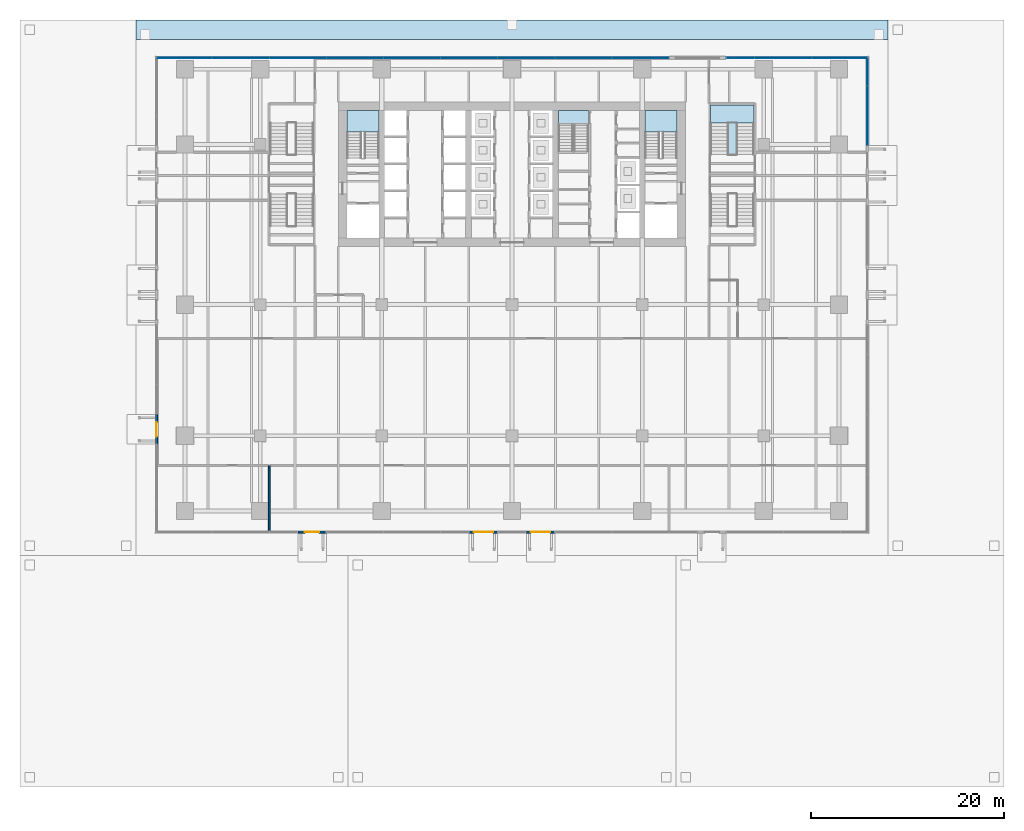
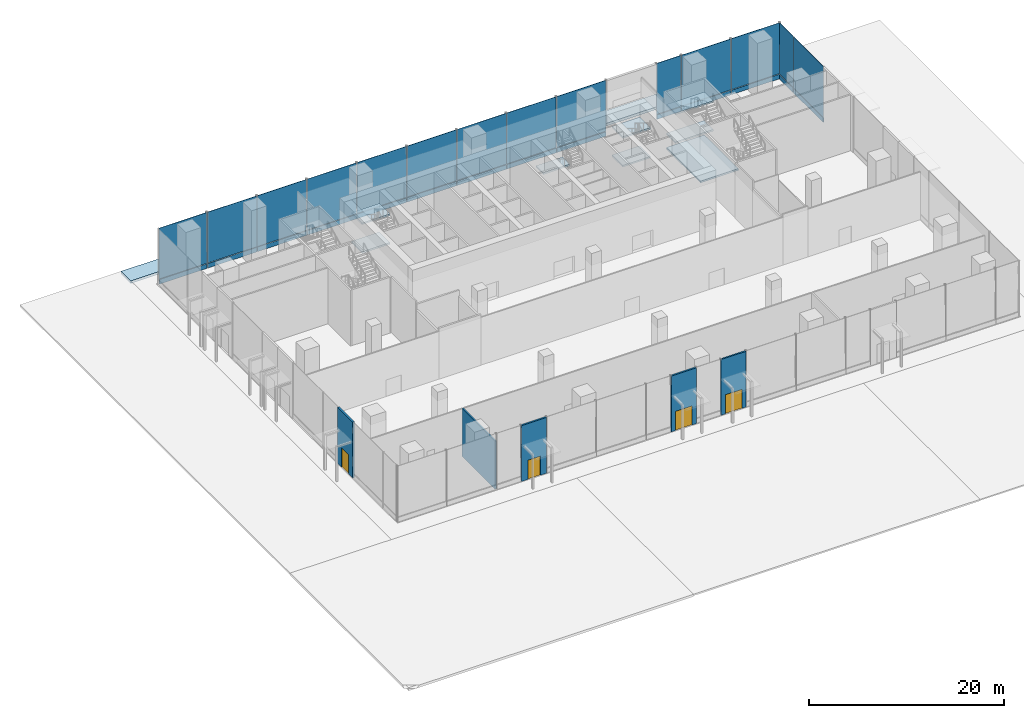
# One storey, part 28 of 41: 28 plates, 9 slabs, 5 walls, 4 doors, 4 openings, 7 elements without a shape of their own.
"""IFC4 building model written with IfcOpenShell, lengths in metres."""

import ifcopenshell
import ifcopenshell.guid

model = None  # the IFC model being written
_history = None  # IfcOwnerHistory: only IFC2X3 demands one
_inside = {}  # id of a spatial element -> (the spatial element, [elements in it])
_under = {}  # id of a project, library or spatial element -> (it, [spatial elements below it])
_declared = {}  # id of a project -> (the project, [libraries it declares])
_typed = {}  # id of a type object -> (the type object, [elements of that type])
_made_of = {}  # id of a material, layer set ... -> (it, [elements and type objects made of it])


def new_model(schema):
    """Start an empty IFC model of exactly this schema.

    Asked for "IFC4X3", IfcOpenShell would pick the latest addendum, in which some entities
    have other attributes; the version numbers below select the first issue.
    IFC2X3 requires an IfcOwnerHistory on every rooted entity: one is made here for all.
    """
    global model, _history
    if schema == "IFC4X3":
        model = ifcopenshell.file(schema_version=(4, 3, 0, 0))
    else:
        model = ifcopenshell.file(schema=schema)
    _inside.clear()
    _under.clear()
    _declared.clear()
    _typed.clear()
    _made_of.clear()
    _history = None
    if model.schema == "IFC2X3":
        org = make("IfcOrganization", Name="unknown")
        user = make(
            "IfcPersonAndOrganization",
            ThePerson=make("IfcPerson", FamilyName="unknown"),
            TheOrganization=org,
        )
        app = make(
            "IfcApplication",
            ApplicationDeveloper=org,
            Version="unknown",
            ApplicationFullName="unknown",
            ApplicationIdentifier="unknown",
        )
        _history = make(
            "IfcOwnerHistory",
            OwningUser=user,
            OwningApplication=app,
            ChangeAction="ADDED",
            CreationDate=0,
        )
    return model


def make(cls, **values):
    """One entity of the class cls with the attributes given. An attribute that is None is left unset."""
    return model.create_entity(
        cls, **{name: value for name, value in values.items() if value is not None}
    )


def rooted(cls, **values):
    """An entity with a GlobalId (a new one), such as an element, a storey or a relation."""
    return make(cls, GlobalId=ifcopenshell.guid.new(), OwnerHistory=_history, **values)


def si_unit(unit_type, name, prefix=None):
    """IfcSIUnit, for example si_unit("LENGTHUNIT", "METRE", prefix="MILLI")."""
    return make("IfcSIUnit", UnitType=unit_type, Prefix=prefix, Name=name)


def assignment(units):
    """IfcUnitAssignment: the units of a project."""
    return None if units is None else make("IfcUnitAssignment", Units=units)


def point(xyz):
    """IfcCartesianPoint."""
    return None if xyz is None else make("IfcCartesianPoint", Coordinates=xyz)


def direction(xyz):
    """IfcDirection."""
    return None if xyz is None else make("IfcDirection", DirectionRatios=xyz)


def frame(location, z_axis=None, x_axis=None):
    """IfcAxis2Placement3D, a coordinate frame: its origin and axes. An axis left out is left unset."""
    return make(
        "IfcAxis2Placement3D",
        Location=point(location),
        Axis=direction(z_axis),
        RefDirection=direction(x_axis),
    )


def frame_2d(location, x_axis=None):
    """IfcAxis2Placement2D, a coordinate frame in the plane: its origin and x axis."""
    return make(
        "IfcAxis2Placement2D", Location=point(location), RefDirection=direction(x_axis)
    )


def origin():
    """The frame at (0, 0, 0) with its axes left unset."""
    return frame((0.0, 0.0, 0.0))


def origin_2d():
    """The frame at (0, 0) in the plane with its x axis left unset."""
    return frame_2d((0.0, 0.0))


def place(relative_to, where):
    """IfcLocalPlacement: puts the frame where relative to a parent placement (None: the world)."""
    return make(
        "IfcLocalPlacement", PlacementRelTo=relative_to, RelativePlacement=where
    )


def context(
    kind, dimensions, precision=None, world=None, true_north=None, identifier=None
):
    """IfcGeometricRepresentationContext, for example the 3D "Model" context."""
    return make(
        "IfcGeometricRepresentationContext",
        ContextIdentifier=identifier,
        ContextType=kind,
        CoordinateSpaceDimension=dimensions,
        Precision=precision,
        WorldCoordinateSystem=world,
        TrueNorth=true_north,
    )


def subcontext(parent, identifier, kind, view, scale=None):
    """IfcGeometricRepresentationSubContext, for example "Body" below "Model"."""
    return make(
        "IfcGeometricRepresentationSubContext",
        ContextIdentifier=identifier,
        ContextType=kind,
        ParentContext=parent,
        TargetScale=scale,
        TargetView=view,
    )


def project(units=None, contexts=None):
    """IfcProject with its units and contexts."""
    return rooted(
        "IfcProject",
        Name="project",
        RepresentationContexts=contexts,
        UnitsInContext=assignment(units),
    )


def spatial(cls, under=None, at=None, **own):
    """A site, building, storey or space (cls), placed at a placement, below another one or the project."""
    s = rooted(cls, ObjectPlacement=at, **own)
    if under is not None:
        _under.setdefault(under.id(), (under, []))[1].append(s)
    return s


def polyline(points):
    """IfcPolyline through the points."""
    return make("IfcPolyline", Points=[point(p) for p in points])


def profile(cls, at=None, kind="AREA", **sizes):
    """A parametric profile (cls). Its sizes go by their IFC names, for example OverallWidth=200.0."""
    return make(cls, ProfileType=kind, Position=at, **sizes)


def rectangle(**sizes):
    """IfcRectangleProfileDef."""
    return profile("IfcRectangleProfileDef", **sizes)


def outline(outer, holes=None, kind="AREA"):
    """IfcArbitraryClosedProfileDef: a profile drawn as a closed curve; with holes, ...WithVoids."""
    if holes is None:
        return make("IfcArbitraryClosedProfileDef", ProfileType=kind, OuterCurve=outer)
    return make(
        "IfcArbitraryProfileDefWithVoids",
        ProfileType=kind,
        OuterCurve=outer,
        InnerCurves=holes,
    )


def extrude(swept, where, along, depth):
    """IfcExtrudedAreaSolid: the profile swept, set in the frame where, extruded along a direction by depth."""
    return make(
        "IfcExtrudedAreaSolid",
        SweptArea=swept,
        Position=where,
        ExtrudedDirection=direction(along),
        Depth=depth,
    )


def shape(context_of_items, identifier, shape_type, items):
    """IfcShapeRepresentation: the items that make up one representation, for example the "Body"."""
    return make(
        "IfcShapeRepresentation",
        ContextOfItems=context_of_items,
        RepresentationIdentifier=identifier,
        RepresentationType=shape_type,
        Items=items,
    )


def material(Name=None, Category=None):
    """IfcMaterial."""
    return make("IfcMaterial", Name=Name, Category=Category)


def layer(
    of_material, thickness, ventilated=None, Name=None, Category=None, Priority=None
):
    """IfcMaterialLayer: one layer of a wall or slab, of a material (None: an air gap)."""
    return make(
        "IfcMaterialLayer",
        Material=of_material,
        LayerThickness=thickness,
        IsVentilated=ventilated,
        Name=Name,
        Category=Category,
        Priority=Priority,
    )


def layer_set(layers, Name=None):
    """IfcMaterialLayerSet."""
    return make("IfcMaterialLayerSet", MaterialLayers=layers, LayerSetName=Name)


def made_of(thing, what):
    """Note that an element or type object is made of a material, layer set ...; save() writes the relation."""
    if what is not None:
        _made_of.setdefault(what.id(), (what, []))[1].append(thing)
    return thing


def type_object(cls, material=None, **own):
    """A type object (cls), such as IfcWallType, which elements share."""
    return made_of(rooted(cls, **own), material)


def element(
    cls,
    number,
    at=None,
    inside=None,
    cuts=None,
    type_object=None,
    material=None,
    context=None,
    identifier="Body",
    shape_type=None,
    held_by="IfcProductDefinitionShape",
    body=None,
    shapes=None,
    **own,
):
    """One element of the class cls, such as IfcWall. Its Tag is "e" and its number.

    at: its placement. inside: the storey or other place that contains it. cuts: it is an
    opening in that element (IfcRelVoidsElement). A single representation is given by context,
    identifier, shape_type and body (its items); several are given by shapes. held_by: the class
    of the entity that holds the representations. save() writes the other relations.
    """
    e = rooted(cls, Tag="e%d" % number, ObjectPlacement=at, **own)
    if body is not None:
        shapes = [shape(context, identifier, shape_type, body)]
    if shapes is not None:
        e.Representation = make(held_by, Representations=shapes)
    if inside is not None:
        _inside.setdefault(inside.id(), (inside, []))[1].append(e)
    if cuts is not None:
        rooted(
            "IfcRelVoidsElement", RelatingBuildingElement=cuts, RelatedOpeningElement=e
        )
    if type_object is not None:
        _typed.setdefault(type_object.id(), (type_object, []))[1].append(e)
    return made_of(e, material)


def fill(opening, filler):
    """IfcRelFillsElement: the door or window that sits in an opening."""
    return rooted(
        "IfcRelFillsElement",
        RelatingOpeningElement=opening,
        RelatedBuildingElement=filler,
    )


def aggregate(whole, parts):
    """IfcRelAggregates: a whole, such as a stair, and the parts it consists of."""
    return rooted("IfcRelAggregates", RelatingObject=whole, RelatedObjects=parts)


def save(model, path):
    """Write the relations noted so far, then the file.

    IfcRelAggregates (storeys below a building ...), IfcRelContainedInSpatialStructure (elements
    in a storey), IfcRelDefinesByType, IfcRelAssociatesMaterial and IfcRelDeclares: one each for
    every whole, place, type object, material and project.
    """
    for whole, parts in _under.values():
        aggregate(whole, parts)
    for where, things in _inside.values():
        rooted(
            "IfcRelContainedInSpatialStructure",
            RelatedElements=things,
            RelatingStructure=where,
        )
    for kind, things in _typed.values():
        rooted("IfcRelDefinesByType", RelatedObjects=things, RelatingType=kind)
    for what, things in _made_of.values():
        rooted("IfcRelAssociatesMaterial", RelatedObjects=things, RelatingMaterial=what)
    for by, libraries in _declared.values():
        rooted("IfcRelDeclares", RelatingContext=by, RelatedDefinitions=libraries)
    model.write(path)


model = new_model("IFC4")

# Units and contexts
model_context = context("Model", 3, precision=1e-05, world=origin(), true_north=direction((0.0, 1.0)))
body_context = subcontext(model_context, "Body", "Model", "MODEL_VIEW")
ifc_project = project(units=[si_unit("LENGTHUNIT", "METRE"), si_unit("AREAUNIT", "SQUARE_METRE"), si_unit("VOLUMEUNIT", "CUBIC_METRE"), si_unit("PLANEANGLEUNIT", "RADIAN"), si_unit("MASSUNIT", "GRAM", prefix="KILO")], contexts=[model_context])

# Site, building, storey
site_placement = place(None, origin())
site = spatial("IfcSite", under=ifc_project, at=site_placement, CompositionType="ELEMENT")
building_placement = place(site_placement, origin())
building = spatial("IfcBuilding", under=site, at=building_placement, Name="Rattan Terrace Tower", CompositionType="ELEMENT")
storey_placement = place(building_placement, origin())
storey = spatial("IfcBuildingStorey", under=building, at=storey_placement, Name="L00", CompositionType="ELEMENT", Elevation=0.0)

# Stair, slabs
ifc_material_1 = material(Name="Concrete C40/50", Category="concrete")
stair_type_1 = type_object("IfcStairType", Name="Core exit stair 1500", PredefinedType="HALF_TURN_STAIR", material=ifc_material_1)
stair_1_placement = place(storey_placement, origin())
stair_1 = element("IfcStair", 1, at=stair_1_placement, inside=storey, type_object=stair_type_1, Name="L00 exit stair 1", PredefinedType="HALF_TURN_STAIR")
ifc_material_2 = material(Name="Concrete C40/50", Category="concrete")
ifc_layer_1 = layer(ifc_material_2, 0.199951171875)
ifc_layer_set_1 = layer_set([ifc_layer_1], Name="Core exit stair landing")
slab_type_1 = type_object("IfcSlabType", Name="Core exit stair landing", PredefinedType="LANDING", material=ifc_layer_set_1)
slab_1_placement = place(storey_placement, frame((0.0, 0.0, 1.60009765625)))
slab_1 = element("IfcSlab", 2, at=slab_1_placement, type_object=slab_type_1, Name="S1 landing 1", PredefinedType="LANDING", context=body_context, shape_type="SweptSolid", body=[
    extrude(outline(polyline([(-13.800048828125, 4.39990234375), (-13.800048828125, 6.60009765625), (-17.10009765625, 6.60009765625), (-17.10009765625, 4.39990234375), (-13.800048828125, 4.39990234375)])), origin(), (0.0, 0.0, 1.0), 0.199951171875),
])
slab_2_placement = place(storey_placement, frame((0.0, 0.0, 5.199951171875)))
slab_2 = element("IfcSlab", 3, at=slab_2_placement, type_object=slab_type_1, Name="S1 landing 3", PredefinedType="LANDING", context=body_context, shape_type="SweptSolid", body=[
    extrude(outline(polyline([(-13.800048828125, 4.39990234375), (-13.800048828125, 6.60009765625), (-17.10009765625, 6.60009765625), (-17.10009765625, 4.39990234375), (-13.800048828125, 4.39990234375)])), origin(), (0.0, 0.0, 1.0), 0.199951171875),
])
aggregate(stair_1, [slab_1, slab_2])

stair_2_placement = place(storey_placement, origin())
stair_2 = element("IfcStair", 4, at=stair_2_placement, inside=storey, type_object=stair_type_1, Name="L00 exit stair 2", PredefinedType="HALF_TURN_STAIR")
slab_3_placement = place(storey_placement, frame((0.0, 0.0, 1.60009765625)))
slab_3 = element("IfcSlab", 5, at=slab_3_placement, type_object=slab_type_1, Name="S2 landing 1", PredefinedType="LANDING", context=body_context, shape_type="SweptSolid", body=[
    extrude(outline(polyline([(17.10009765625, 4.39990234375), (17.10009765625, 6.60009765625), (13.800048828125, 6.60009765625), (13.800048828125, 4.39990234375), (17.10009765625, 4.39990234375)])), origin(), (0.0, 0.0, 1.0), 0.199951171875),
])
slab_4_placement = place(storey_placement, frame((0.0, 0.0, 5.199951171875)))
slab_4 = element("IfcSlab", 6, at=slab_4_placement, type_object=slab_type_1, Name="S2 landing 3", PredefinedType="LANDING", context=body_context, shape_type="SweptSolid", body=[
    extrude(outline(polyline([(17.10009765625, 4.39990234375), (17.10009765625, 6.60009765625), (13.800048828125, 6.60009765625), (13.800048828125, 4.39990234375), (17.10009765625, 4.39990234375)])), origin(), (0.0, 0.0, 1.0), 0.199951171875),
])
aggregate(stair_2, [slab_3, slab_4])

# Stair, slab
stair_3_placement = place(storey_placement, origin())
stair_3 = element("IfcStair", 7, at=stair_3_placement, inside=storey, type_object=stair_type_1, Name="L00 exit stair 3", PredefinedType="HALF_TURN_STAIR")
slab_5_placement = place(storey_placement, frame((0.0, 0.0, 3.39990234375)))
slab_5 = element("IfcSlab", 8, at=slab_5_placement, type_object=slab_type_1, Name="S3 landing 2", PredefinedType="LANDING", context=body_context, shape_type="SweptSolid", body=[
    extrude(outline(polyline([(4.800048828125, 6.60009765625), (4.800048828125, 5.10009765625), (7.949951171875, 5.10009765625), (7.949951171875, 6.60009765625), (4.800048828125, 6.60009765625)])), origin(), (0.0, 0.0, 1.0), 0.2001953125),
])
aggregate(stair_3, [slab_5])

# Stair, slabs
ifc_material_3 = material(Name="Concrete C40/50", Category="concrete")
stair_type_2 = type_object("IfcStairType", Name="Core exit stair 1850", PredefinedType="HALF_TURN_STAIR", material=ifc_material_3)
stair_4_placement = place(storey_placement, origin())
stair_4 = element("IfcStair", 9, at=stair_4_placement, inside=storey, type_object=stair_type_2, Name="L00 exit stair 7", PredefinedType="HALF_TURN_STAIR")
slab_6_placement = place(storey_placement, frame((0.0, 0.0, 1.60009765625)))
slab_6 = element("IfcSlab", 10, at=slab_6_placement, type_object=slab_type_1, Name="S7 landing 1", PredefinedType="LANDING", context=body_context, shape_type="SweptSolid", body=[
    extrude(outline(polyline([(25.10009765625, 5.343994140625), (25.10009765625, 7.199951171875), (20.60009765625, 7.199951171875), (20.60009765625, 5.343994140625), (25.10009765625, 5.343994140625)])), origin(), (0.0, 0.0, 1.0), 0.199951171875),
])
slab_7_placement = place(storey_placement, frame((0.0, 0.0, 5.199951171875)))
slab_7 = element("IfcSlab", 11, at=slab_7_placement, type_object=slab_type_1, Name="S7 landing 3", PredefinedType="LANDING", context=body_context, shape_type="SweptSolid", body=[
    extrude(outline(polyline([(25.10009765625, 5.343994140625), (25.10009765625, 7.199951171875), (20.60009765625, 7.199951171875), (20.60009765625, 5.343994140625), (25.10009765625, 5.343994140625)])), origin(), (0.0, 0.0, 1.0), 0.199951171875),
])
aggregate(stair_4, [slab_6, slab_7])

# Slabs
ifc_material_4 = material(Name="Concrete C35/45", Category="concrete")
ifc_layer_2 = layer(ifc_material_4, 0.199951171875)
ifc_layer_set_2 = layer_set([ifc_layer_2], Name="Frame composite floor slab 200")
slab_type_2 = type_object("IfcSlabType", Name="Frame composite floor slab 200", PredefinedType="FLOOR", material=ifc_layer_set_2)
slab_8_placement = place(storey_placement, frame((0.0, 0.0, -0.199951171875)))
element("IfcSlab", 12, at=slab_8_placement, inside=storey, type_object=slab_type_2, Name="Floor slab", PredefinedType="FLOOR", context=body_context, shape_type="SweptSolid", body=[
    extrude(outline(polyline([(20.60009765625, 0.199951171875), (25.10009765625, 0.199951171875), (25.10009765625, 7.199951171875), (20.60009765625, 7.199951171875), (20.60009765625, 0.199951171875)])), origin(), (0.0, 0.0, 1.0), 0.199951171875),
])
ifc_material_5 = material(Name="Reinforced concrete C32/40 apron slab", Category="concrete")
ifc_layer_3 = layer(ifc_material_5, 0.320068359375)
ifc_layer_set_3 = layer_set([ifc_layer_3], Name="Service Apron Paving")
slab_type_3 = type_object("IfcSlabType", Name="Service Apron Paving", PredefinedType="USERDEFINED", material=ifc_layer_set_3)
slab_9_placement = place(storey_placement, frame((0.0, 0.0, -0.320068359375)))
element("IfcSlab", 13, at=slab_9_placement, inside=storey, type_object=slab_type_3, Name="Service apron paving", ObjectType="PAVING", PredefinedType="USERDEFINED", context=body_context, shape_type="SweptSolid", body=[
    extrude(outline(polyline([(39.0, 14.0), (39.0, 16.0), (-39.0, 16.0), (-39.0, 14.0), (39.0, 14.0)])), origin(), (0.0, 0.0, 1.0), 0.320068359375),
])

# Curtain wall, plates
ifc_material_6 = material(Name="Aluminium and glass", Category="aluminium")
ifc_layer_4 = layer(ifc_material_6, 0.1201171875)
ifc_layer_set_4 = layer_set([ifc_layer_4], Name="Station Storefront Curtain Wall")
curtain_wall_type = type_object("IfcCurtainWallType", Name="Station Storefront Curtain Wall", PredefinedType="NOTDEFINED", material=ifc_layer_set_4)
curtain_wall_1_placement = place(storey_placement, origin())
curtain_wall_1 = element("IfcCurtainWall", 14, at=curtain_wall_1_placement, inside=storey, type_object=curtain_wall_type, Name="Storefront curtain wall L00-3", PredefinedType="NOTDEFINED")
ifc_material_7 = material(Name="Granite bulkhead panel", Category="masonry")
ifc_layer_5 = layer(ifc_material_7, 0.110107421875)
ifc_layer_set_5 = layer_set([ifc_layer_5], Name="Storefront CW Stone Bulkhead Panel")
plate_type_1 = type_object("IfcPlateType", Name="Storefront CW Stone Bulkhead Panel", PredefinedType="CURTAIN_PANEL", material=ifc_layer_set_5)
plate_1_placement = place(storey_placement, frame((36.830078125, 6.07861328125, 0.0), z_axis=(0.0, 0.0, 1.0), x_axis=(0.0, 1.0, 0.0)))
plate_1 = element("IfcPlate", 15, at=plate_1_placement, type_object=plate_type_1, Name="Panel cwl-L00-003.1.1", PredefinedType="CURTAIN_PANEL", context=body_context, shape_type="SweptSolid", body=[
    extrude(rectangle(XDim=6.113037109375, YDim=0.110107421875, at=origin_2d()), origin(), (0.0, 0.0, 1.0), 0.574951171875),
])
plate_2_placement = place(storey_placement, frame((36.830078125, 10.6025390625, 0.0), z_axis=(0.0, 0.0, 1.0), x_axis=(0.0, 1.0, 0.0)))
plate_2 = element("IfcPlate", 16, at=plate_2_placement, type_object=plate_type_1, Name="Panel cwl-L00-003.2.1", PredefinedType="CURTAIN_PANEL", context=body_context, shape_type="SweptSolid", body=[
    extrude(rectangle(XDim=2.8349609375, YDim=0.110107421875, at=origin_2d()), origin(), (0.0, 0.0, 1.0), 0.574951171875),
])

curtain_wall_2_placement = place(storey_placement, origin())
curtain_wall_2 = element("IfcCurtainWall", 17, at=curtain_wall_2_placement, inside=storey, type_object=curtain_wall_type, Name="Storefront curtain wall L00-4", PredefinedType="NOTDEFINED")
plate_3_placement = place(storey_placement, frame((33.972412109375, 12.080078125, 0.0), z_axis=(0.0, 0.0, 1.0), x_axis=(-1.0, 0.0, 0.0)))
plate_3 = element("IfcPlate", 18, at=plate_3_placement, type_object=plate_type_1, Name="Panel cwl-L00-004.1.1", PredefinedType="CURTAIN_PANEL", context=body_context, shape_type="SweptSolid", body=[
    extrude(rectangle(XDim=5.735107421875, YDim=0.110107421875, at=origin_2d()), origin(), (0.0, 0.0, 1.0), 0.574951171875),
])
plate_4_placement = place(storey_placement, frame((28.1201171875, 12.080078125, 0.0), z_axis=(0.0, 0.0, 1.0), x_axis=(-1.0, 0.0, 0.0)))
plate_4 = element("IfcPlate", 19, at=plate_4_placement, type_object=plate_type_1, Name="Panel cwl-L00-004.2.1", PredefinedType="CURTAIN_PANEL", context=body_context, shape_type="SweptSolid", body=[
    extrude(rectangle(XDim=5.8701171875, YDim=0.110107421875, at=origin_2d()), origin(), (0.0, 0.0, 1.0), 0.574951171875),
])
plate_5_placement = place(storey_placement, frame((23.6923828125, 12.080078125, 0.0), z_axis=(0.0, 0.0, 1.0), x_axis=(-1.0, 0.0, 0.0)))
plate_5 = element("IfcPlate", 20, at=plate_5_placement, type_object=plate_type_1, Name="Panel cwl-L00-004.3.1", PredefinedType="CURTAIN_PANEL", context=body_context, shape_type="SweptSolid", body=[
    extrude(rectangle(XDim=2.885009765625, YDim=0.110107421875, at=origin_2d()), origin(), (0.0, 0.0, 1.0), 0.574951171875),
])

curtain_wall_3_placement = place(storey_placement, origin())
curtain_wall_3 = element("IfcCurtainWall", 21, at=curtain_wall_3_placement, inside=storey, type_object=curtain_wall_type, Name="Storefront curtain wall L00-5", PredefinedType="NOTDEFINED")
plate_6_placement = place(storey_placement, frame((13.3076171875, 12.080078125, 0.0), z_axis=(0.0, 0.0, 1.0), x_axis=(-1.0, 0.0, 0.0)))
plate_6 = element("IfcPlate", 22, at=plate_6_placement, type_object=plate_type_1, Name="Panel cwl-L00-005.1.1", PredefinedType="CURTAIN_PANEL", context=body_context, shape_type="SweptSolid", body=[
    extrude(rectangle(XDim=5.844970703125, YDim=0.110107421875, at=origin_2d()), origin(), (0.0, 0.0, 1.0), 0.574951171875),
])
plate_7_placement = place(storey_placement, frame((7.39990234375, 12.080078125, 0.0), z_axis=(0.0, 0.0, 1.0), x_axis=(-1.0, 0.0, 0.0)))
plate_7 = element("IfcPlate", 23, at=plate_7_placement, type_object=plate_type_1, Name="Panel cwl-L00-005.2.1", PredefinedType="CURTAIN_PANEL", context=body_context, shape_type="SweptSolid", body=[
    extrude(rectangle(XDim=5.8701171875, YDim=0.110107421875, at=origin_2d()), origin(), (0.0, 0.0, 1.0), 0.574951171875),
])
plate_8_placement = place(storey_placement, frame((1.47998046875, 12.080078125, 0.0), z_axis=(0.0, 0.0, 1.0), x_axis=(-1.0, 0.0, 0.0)))
plate_8 = element("IfcPlate", 24, at=plate_8_placement, type_object=plate_type_1, Name="Panel cwl-L00-005.3.1", PredefinedType="CURTAIN_PANEL", context=body_context, shape_type="SweptSolid", body=[
    extrude(rectangle(XDim=5.8701171875, YDim=0.110107421875, at=origin_2d()), origin(), (0.0, 0.0, 1.0), 0.574951171875),
])
plate_9_placement = place(storey_placement, frame((-4.43994140625, 12.080078125, 0.0), z_axis=(0.0, 0.0, 1.0), x_axis=(-1.0, 0.0, 0.0)))
plate_9 = element("IfcPlate", 25, at=plate_9_placement, type_object=plate_type_1, Name="Panel cwl-L00-005.4.1", PredefinedType="CURTAIN_PANEL", context=body_context, shape_type="SweptSolid", body=[
    extrude(rectangle(XDim=5.8701171875, YDim=0.110107421875, at=origin_2d()), origin(), (0.0, 0.0, 1.0), 0.574951171875),
])
plate_10_placement = place(storey_placement, frame((-10.360107421875, 12.080078125, 0.0), z_axis=(0.0, 0.0, 1.0), x_axis=(-1.0, 0.0, 0.0)))
plate_10 = element("IfcPlate", 26, at=plate_10_placement, type_object=plate_type_1, Name="Panel cwl-L00-005.5.1", PredefinedType="CURTAIN_PANEL", context=body_context, shape_type="SweptSolid", body=[
    extrude(rectangle(XDim=5.8701171875, YDim=0.110107421875, at=origin_2d()), origin(), (0.0, 0.0, 1.0), 0.574951171875),
])
plate_11_placement = place(storey_placement, frame((-16.280029296875, 12.080078125, 0.0), z_axis=(0.0, 0.0, 1.0), x_axis=(-1.0, 0.0, 0.0)))
plate_11 = element("IfcPlate", 27, at=plate_11_placement, type_object=plate_type_1, Name="Panel cwl-L00-005.6.1", PredefinedType="CURTAIN_PANEL", context=body_context, shape_type="SweptSolid", body=[
    extrude(rectangle(XDim=5.8701171875, YDim=0.110107421875, at=origin_2d()), origin(), (0.0, 0.0, 1.0), 0.574951171875),
])
plate_12_placement = place(storey_placement, frame((-22.199951171875, 12.080078125, 0.0), z_axis=(0.0, 0.0, 1.0), x_axis=(-1.0, 0.0, 0.0)))
plate_12 = element("IfcPlate", 28, at=plate_12_placement, type_object=plate_type_1, Name="Panel cwl-L00-005.7.1", PredefinedType="CURTAIN_PANEL", context=body_context, shape_type="SweptSolid", body=[
    extrude(rectangle(XDim=5.8701171875, YDim=0.110107421875, at=origin_2d()), origin(), (0.0, 0.0, 1.0), 0.574951171875),
])
plate_13_placement = place(storey_placement, frame((-28.1201171875, 12.080078125, 0.0), z_axis=(0.0, 0.0, 1.0), x_axis=(-1.0, 0.0, 0.0)))
plate_13 = element("IfcPlate", 29, at=plate_13_placement, type_object=plate_type_1, Name="Panel cwl-L00-005.8.1", PredefinedType="CURTAIN_PANEL", context=body_context, shape_type="SweptSolid", body=[
    extrude(rectangle(XDim=5.8701171875, YDim=0.110107421875, at=origin_2d()), origin(), (0.0, 0.0, 1.0), 0.574951171875),
])
plate_14_placement = place(storey_placement, frame((-33.9375, 12.080078125, 0.0), z_axis=(0.0, 0.0, 1.0), x_axis=(-1.0, 0.0, 0.0)))
plate_14 = element("IfcPlate", 30, at=plate_14_placement, type_object=plate_type_1, Name="Panel cwl-L00-005.9.1", PredefinedType="CURTAIN_PANEL", context=body_context, shape_type="SweptSolid", body=[
    extrude(rectangle(XDim=5.6650390625, YDim=0.110107421875, at=origin_2d()), origin(), (0.0, 0.0, 1.0), 0.574951171875),
])

# Plate
ifc_material_8 = material(Name="Clear toughened glass", Category="glass")
ifc_layer_6 = layer(ifc_material_8, 0.0439453125)
ifc_layer_set_6 = layer_set([ifc_layer_6], Name="Storefront CW Vision Panel")
plate_type_2 = type_object("IfcPlateType", Name="Storefront CW Vision Panel", PredefinedType="CURTAIN_PANEL", material=ifc_layer_set_6)
plate_15_placement = place(storey_placement, frame((36.830078125, 6.07861328125, 0.625), z_axis=(0.0, 0.0, 1.0), x_axis=(0.0, 1.0, 0.0)))
plate_15 = element("IfcPlate", 31, at=plate_15_placement, type_object=plate_type_2, Name="Panel cwl-L00-003.1.2", PredefinedType="CURTAIN_PANEL", context=body_context, shape_type="SweptSolid", body=[
    extrude(rectangle(XDim=6.113037109375, YDim=0.0439453125, at=origin_2d()), origin(), (0.0, 0.0, 1.0), 6.375),
])

plate_16_placement = place(storey_placement, frame((36.830078125, 10.6025390625, 0.625), z_axis=(0.0, 0.0, 1.0), x_axis=(0.0, 1.0, 0.0)))
plate_16 = element("IfcPlate", 32, at=plate_16_placement, type_object=plate_type_2, Name="Panel cwl-L00-003.2.2", PredefinedType="CURTAIN_PANEL", context=body_context, shape_type="SweptSolid", body=[
    extrude(rectangle(XDim=2.8349609375, YDim=0.0439453125, at=origin_2d()), origin(), (0.0, 0.0, 1.0), 6.375),
])

aggregate(curtain_wall_1, [plate_1, plate_15, plate_2, plate_16])

plate_17_placement = place(storey_placement, frame((33.972412109375, 12.080078125, 0.625), z_axis=(0.0, 0.0, 1.0), x_axis=(-1.0, 0.0, 0.0)))
plate_17 = element("IfcPlate", 33, at=plate_17_placement, type_object=plate_type_2, Name="Panel cwl-L00-004.1.2", PredefinedType="CURTAIN_PANEL", context=body_context, shape_type="SweptSolid", body=[
    extrude(rectangle(XDim=5.735107421875, YDim=0.0439453125, at=origin_2d()), origin(), (0.0, 0.0, 1.0), 6.375),
])

plate_18_placement = place(storey_placement, frame((28.1201171875, 12.080078125, 0.625), z_axis=(0.0, 0.0, 1.0), x_axis=(-1.0, 0.0, 0.0)))
plate_18 = element("IfcPlate", 34, at=plate_18_placement, type_object=plate_type_2, Name="Panel cwl-L00-004.2.2", PredefinedType="CURTAIN_PANEL", context=body_context, shape_type="SweptSolid", body=[
    extrude(rectangle(XDim=5.8701171875, YDim=0.0439453125, at=origin_2d()), origin(), (0.0, 0.0, 1.0), 6.375),
])

plate_19_placement = place(storey_placement, frame((23.6923828125, 12.080078125, 0.625), z_axis=(0.0, 0.0, 1.0), x_axis=(-1.0, 0.0, 0.0)))
plate_19 = element("IfcPlate", 35, at=plate_19_placement, type_object=plate_type_2, Name="Panel cwl-L00-004.3.2", PredefinedType="CURTAIN_PANEL", context=body_context, shape_type="SweptSolid", body=[
    extrude(rectangle(XDim=2.885009765625, YDim=0.0439453125, at=origin_2d()), origin(), (0.0, 0.0, 1.0), 6.375),
])

aggregate(curtain_wall_2, [plate_3, plate_17, plate_4, plate_18, plate_5, plate_19])

plate_20_placement = place(storey_placement, frame((13.3076171875, 12.080078125, 0.625), z_axis=(0.0, 0.0, 1.0), x_axis=(-1.0, 0.0, 0.0)))
plate_20 = element("IfcPlate", 36, at=plate_20_placement, type_object=plate_type_2, Name="Panel cwl-L00-005.1.2", PredefinedType="CURTAIN_PANEL", context=body_context, shape_type="SweptSolid", body=[
    extrude(rectangle(XDim=5.844970703125, YDim=0.0439453125, at=origin_2d()), origin(), (0.0, 0.0, 1.0), 6.375),
])

plate_21_placement = place(storey_placement, frame((7.39990234375, 12.080078125, 0.625), z_axis=(0.0, 0.0, 1.0), x_axis=(-1.0, 0.0, 0.0)))
plate_21 = element("IfcPlate", 37, at=plate_21_placement, type_object=plate_type_2, Name="Panel cwl-L00-005.2.2", PredefinedType="CURTAIN_PANEL", context=body_context, shape_type="SweptSolid", body=[
    extrude(rectangle(XDim=5.8701171875, YDim=0.0439453125, at=origin_2d()), origin(), (0.0, 0.0, 1.0), 6.375),
])

plate_22_placement = place(storey_placement, frame((1.47998046875, 12.080078125, 0.625), z_axis=(0.0, 0.0, 1.0), x_axis=(-1.0, 0.0, 0.0)))
plate_22 = element("IfcPlate", 38, at=plate_22_placement, type_object=plate_type_2, Name="Panel cwl-L00-005.3.2", PredefinedType="CURTAIN_PANEL", context=body_context, shape_type="SweptSolid", body=[
    extrude(rectangle(XDim=5.8701171875, YDim=0.0439453125, at=origin_2d()), origin(), (0.0, 0.0, 1.0), 6.375),
])

plate_23_placement = place(storey_placement, frame((-4.43994140625, 12.080078125, 0.625), z_axis=(0.0, 0.0, 1.0), x_axis=(-1.0, 0.0, 0.0)))
plate_23 = element("IfcPlate", 39, at=plate_23_placement, type_object=plate_type_2, Name="Panel cwl-L00-005.4.2", PredefinedType="CURTAIN_PANEL", context=body_context, shape_type="SweptSolid", body=[
    extrude(rectangle(XDim=5.8701171875, YDim=0.0439453125, at=origin_2d()), origin(), (0.0, 0.0, 1.0), 6.375),
])

plate_24_placement = place(storey_placement, frame((-10.360107421875, 12.080078125, 0.625), z_axis=(0.0, 0.0, 1.0), x_axis=(-1.0, 0.0, 0.0)))
plate_24 = element("IfcPlate", 40, at=plate_24_placement, type_object=plate_type_2, Name="Panel cwl-L00-005.5.2", PredefinedType="CURTAIN_PANEL", context=body_context, shape_type="SweptSolid", body=[
    extrude(rectangle(XDim=5.8701171875, YDim=0.0439453125, at=origin_2d()), origin(), (0.0, 0.0, 1.0), 6.375),
])

plate_25_placement = place(storey_placement, frame((-16.280029296875, 12.080078125, 0.625), z_axis=(0.0, 0.0, 1.0), x_axis=(-1.0, 0.0, 0.0)))
plate_25 = element("IfcPlate", 41, at=plate_25_placement, type_object=plate_type_2, Name="Panel cwl-L00-005.6.2", PredefinedType="CURTAIN_PANEL", context=body_context, shape_type="SweptSolid", body=[
    extrude(rectangle(XDim=5.8701171875, YDim=0.0439453125, at=origin_2d()), origin(), (0.0, 0.0, 1.0), 6.375),
])

plate_26_placement = place(storey_placement, frame((-22.199951171875, 12.080078125, 0.625), z_axis=(0.0, 0.0, 1.0), x_axis=(-1.0, 0.0, 0.0)))
plate_26 = element("IfcPlate", 42, at=plate_26_placement, type_object=plate_type_2, Name="Panel cwl-L00-005.7.2", PredefinedType="CURTAIN_PANEL", context=body_context, shape_type="SweptSolid", body=[
    extrude(rectangle(XDim=5.8701171875, YDim=0.0439453125, at=origin_2d()), origin(), (0.0, 0.0, 1.0), 6.375),
])

plate_27_placement = place(storey_placement, frame((-28.1201171875, 12.080078125, 0.625), z_axis=(0.0, 0.0, 1.0), x_axis=(-1.0, 0.0, 0.0)))
plate_27 = element("IfcPlate", 43, at=plate_27_placement, type_object=plate_type_2, Name="Panel cwl-L00-005.8.2", PredefinedType="CURTAIN_PANEL", context=body_context, shape_type="SweptSolid", body=[
    extrude(rectangle(XDim=5.8701171875, YDim=0.0439453125, at=origin_2d()), origin(), (0.0, 0.0, 1.0), 6.375),
])

plate_28_placement = place(storey_placement, frame((-33.9375, 12.080078125, 0.625), z_axis=(0.0, 0.0, 1.0), x_axis=(-1.0, 0.0, 0.0)))
plate_28 = element("IfcPlate", 44, at=plate_28_placement, type_object=plate_type_2, Name="Panel cwl-L00-005.9.2", PredefinedType="CURTAIN_PANEL", context=body_context, shape_type="SweptSolid", body=[
    extrude(rectangle(XDim=5.6650390625, YDim=0.0439453125, at=origin_2d()), origin(), (0.0, 0.0, 1.0), 6.375),
])

aggregate(curtain_wall_3, [plate_6, plate_20, plate_7, plate_21, plate_8, plate_22, plate_9, plate_23, plate_10, plate_24, plate_11, plate_25, plate_12, plate_26, plate_13, plate_27, plate_14, plate_28])

# Wall, opening, door
ifc_material_9 = material(Name="Insulated aluminium-clad stud wall", Category="aluminium")
ifc_layer_7 = layer(ifc_material_9, 0.199951171875)
ifc_layer_set_7 = layer_set([ifc_layer_7], Name="Facade Door Wall 200")
wall_type_1 = type_object("IfcWallType", Name="Facade Door Wall 200", PredefinedType="SOLIDWALL", material=ifc_layer_set_7)
wall_1_placement = place(storey_placement, frame((-36.830078125, -27.971923828125, 0.0), z_axis=(0.0, 0.0, 1.0), x_axis=(0.0, 1.0, 0.0)))
wall_1 = element("IfcWall", 45, at=wall_1_placement, inside=storey, type_object=wall_type_1, Name="Exit door wall L00-10", PredefinedType="SOLIDWALL", context=body_context, shape_type="SweptSolid", body=[
    extrude(rectangle(XDim=3.093994140625, YDim=0.199951171875, at=frame_2d((1.546875, 0.0))), origin(), (0.0, 0.0, 1.0), 7.0),
])
opening_1_placement = place(wall_1_placement, frame((0.797119140625, 0.0, 0.0)))
opening_1 = element("IfcOpeningElement", 46, at=opening_1_placement, cuts=wall_1, Name="Opening L00-D811", PredefinedType="OPENING", context=body_context, shape_type="SweptSolid", body=[
    extrude(rectangle(XDim=1.5, YDim=2.39990234375, at=frame_2d((0.75, 1.199951171875))), frame((0.0, 0.110595703125, 0.0), z_axis=(0.0, -1.0, 0.0), x_axis=(1.0, 0.0, 0.0)), (0.0, 0.0, 1.0), 0.220947265625),
])
ifc_material_10 = material(Name="Aluminium and clear glass", Category="aluminium")
door_type_1 = type_object("IfcDoorType", Name="Facade Station Exit Door 1500", OperationType="DOUBLE_DOOR_SINGLE_SWING", PredefinedType="DOOR", material=ifc_material_10)
door_1_placement = place(opening_1_placement, origin())
door_1 = element("IfcDoor", 47, at=door_1_placement, inside=storey, type_object=door_type_1, Name="Exit door L00-D811", OperationType="DOUBLE_DOOR_SINGLE_SWING", OverallHeight=2.39990234375, OverallWidth=1.5, PredefinedType="DOOR", context=body_context, shape_type="SweptSolid", body=[
    extrude(rectangle(XDim=1.5, YDim=2.39990234375, at=frame_2d((0.75, 1.199951171875))), frame((0.0, 0.02490234375, 0.0), z_axis=(0.0, -1.0, 0.0), x_axis=(1.0, 0.0, 0.0)), (0.0, 0.0, 1.0), 0.050048828125),
])
fill(opening_1, door_1)

wall_2_placement = place(storey_placement, frame((-19.239990234375, -37.080078125, 0.0), z_axis=(0.0, 0.0, 1.0), x_axis=(-1.0, 0.0, 0.0)))
wall_2 = element("IfcWall", 48, at=wall_2_placement, inside=storey, type_object=wall_type_1, Name="Exit door wall L00-11", PredefinedType="SOLIDWALL", context=body_context, shape_type="SweptSolid", body=[
    extrude(rectangle(XDim=2.9599609375, YDim=0.199951171875, at=frame_2d((1.47998046875, 0.0))), origin(), (0.0, 0.0, 1.0), 7.0),
])
opening_2_placement = place(wall_2_placement, frame((0.72998046875, 0.0, 0.0)))
opening_2 = element("IfcOpeningElement", 49, at=opening_2_placement, cuts=wall_2, Name="Opening L00-D808", PredefinedType="OPENING", context=body_context, shape_type="SweptSolid", body=[
    extrude(rectangle(XDim=1.5, YDim=2.39990234375, at=frame_2d((0.75, 1.199951171875))), frame((0.0, 0.110595703125, 0.0), z_axis=(0.0, -1.0, 0.0), x_axis=(1.0, 0.0, 0.0)), (0.0, 0.0, 1.0), 0.220947265625),
])
door_2_placement = place(opening_2_placement, origin())
door_2 = element("IfcDoor", 50, at=door_2_placement, inside=storey, type_object=door_type_1, Name="Exit door L00-D808", OperationType="DOUBLE_DOOR_SINGLE_SWING", OverallHeight=2.39990234375, OverallWidth=1.5, PredefinedType="DOOR", context=body_context, shape_type="SweptSolid", body=[
    extrude(rectangle(XDim=1.5, YDim=2.39990234375, at=frame_2d((0.75, 1.199951171875))), frame((0.0, 0.02490234375, 0.0), z_axis=(0.0, -1.0, 0.0), x_axis=(1.0, 0.0, 0.0)), (0.0, 0.0, 1.0), 0.050048828125),
])
fill(opening_2, door_2)

wall_3_placement = place(storey_placement, frame((-4.43994140625, -37.080078125, 0.0), z_axis=(0.0, 0.0, 1.0), x_axis=(1.0, 0.0, 0.0)))
wall_3 = element("IfcWall", 51, at=wall_3_placement, inside=storey, type_object=wall_type_1, Name="Entrance door wall L00-12", PredefinedType="SOLIDWALL", context=body_context, shape_type="SweptSolid", body=[
    extrude(rectangle(XDim=2.9599609375, YDim=0.199951171875, at=frame_2d((1.47998046875, 0.0))), origin(), (0.0, 0.0, 1.0), 7.0),
])
opening_3_placement = place(wall_3_placement, frame((0.47998046875, 0.0, 0.0)))
opening_3 = element("IfcOpeningElement", 52, at=opening_3_placement, cuts=wall_3, Name="Opening L00-D805", PredefinedType="OPENING", context=body_context, shape_type="SweptSolid", body=[
    extrude(rectangle(XDim=2.0, YDim=2.39990234375, at=frame_2d((1.0, 1.199951171875))), frame((0.0, 0.110595703125, 0.0), z_axis=(0.0, -1.0, 0.0), x_axis=(1.0, 0.0, 0.0)), (0.0, 0.0, 1.0), 0.220947265625),
])
ifc_material_11 = material(Name="Aluminium and clear glass", Category="aluminium")
door_type_2 = type_object("IfcDoorType", Name="Facade Entrance Door 2000", OperationType="DOUBLE_DOOR_SINGLE_SWING", PredefinedType="DOOR", material=ifc_material_11)
door_3_placement = place(opening_3_placement, origin())
door_3 = element("IfcDoor", 53, at=door_3_placement, inside=storey, type_object=door_type_2, Name="Entrance door L00-D805", OperationType="DOUBLE_DOOR_SINGLE_SWING", OverallHeight=2.39990234375, OverallWidth=2.0, PredefinedType="DOOR", context=body_context, shape_type="SweptSolid", body=[
    extrude(rectangle(XDim=2.0, YDim=2.39990234375, at=frame_2d((1.0, 1.199951171875))), frame((0.0, 0.02490234375, 0.0), z_axis=(0.0, -1.0, 0.0), x_axis=(1.0, 0.0, 0.0)), (0.0, 0.0, 1.0), 0.050048828125),
])
fill(opening_3, door_3)

wall_4_placement = place(storey_placement, frame((1.47998046875, -37.080078125, 0.0), z_axis=(0.0, 0.0, 1.0), x_axis=(1.0, 0.0, 0.0)))
wall_4 = element("IfcWall", 54, at=wall_4_placement, inside=storey, type_object=wall_type_1, Name="Entrance door wall L00-13", PredefinedType="SOLIDWALL", context=body_context, shape_type="SweptSolid", body=[
    extrude(rectangle(XDim=2.9599609375, YDim=0.199951171875, at=frame_2d((1.47998046875, 0.0))), origin(), (0.0, 0.0, 1.0), 7.0),
])
opening_4_placement = place(wall_4_placement, frame((0.47998046875, 0.0, 0.0)))
opening_4 = element("IfcOpeningElement", 55, at=opening_4_placement, cuts=wall_4, Name="Opening L00-D806", PredefinedType="OPENING", context=body_context, shape_type="SweptSolid", body=[
    extrude(rectangle(XDim=2.0, YDim=2.39990234375, at=frame_2d((1.0, 1.199951171875))), frame((0.0, 0.110595703125, 0.0), z_axis=(0.0, -1.0, 0.0), x_axis=(1.0, 0.0, 0.0)), (0.0, 0.0, 1.0), 0.220947265625),
])
door_4_placement = place(opening_4_placement, origin())
door_4 = element("IfcDoor", 56, at=door_4_placement, inside=storey, type_object=door_type_2, Name="Entrance door L00-D806", OperationType="DOUBLE_DOOR_SINGLE_SWING", OverallHeight=2.39990234375, OverallWidth=2.0, PredefinedType="DOOR", context=body_context, shape_type="SweptSolid", body=[
    extrude(rectangle(XDim=2.0, YDim=2.39990234375, at=frame_2d((1.0, 1.199951171875))), frame((0.0, 0.02490234375, 0.0), z_axis=(0.0, -1.0, 0.0), x_axis=(1.0, 0.0, 0.0)), (0.0, 0.0, 1.0), 0.050048828125),
])
fill(opening_4, door_4)

# Wall
ifc_material_12 = material(Name="Double steel stud acoustic partition, gypsum board, mineral wool, fire rated", Category="steel")
ifc_layer_8 = layer(ifc_material_12, 0.179931640625)
ifc_layer_set_8 = layer_set([ifc_layer_8], Name="Floors Acoustic Party Wall 180")
wall_type_2 = type_object("IfcWallType", Name="Floors Acoustic Party Wall 180", PredefinedType="PARTITIONING", material=ifc_layer_set_8)
wall_5_placement = place(storey_placement, frame((-25.153076171875, -30.199951171875, 0.0), z_axis=(0.0, 0.0, 1.0), x_axis=(0.0, -1.0, 0.0)))
element("IfcWall", 57, at=wall_5_placement, inside=storey, type_object=wall_type_2, Name="pt-L00-019", PredefinedType="PARTITIONING", context=body_context, shape_type="SweptSolid", body=[
    extrude(rectangle(XDim=6.7900390625, YDim=0.179931640625, at=frame_2d((3.39501953125, 0.0))), origin(), (0.0, 0.0, 1.0), 6.0),
])

save(model, "model.ifc")
